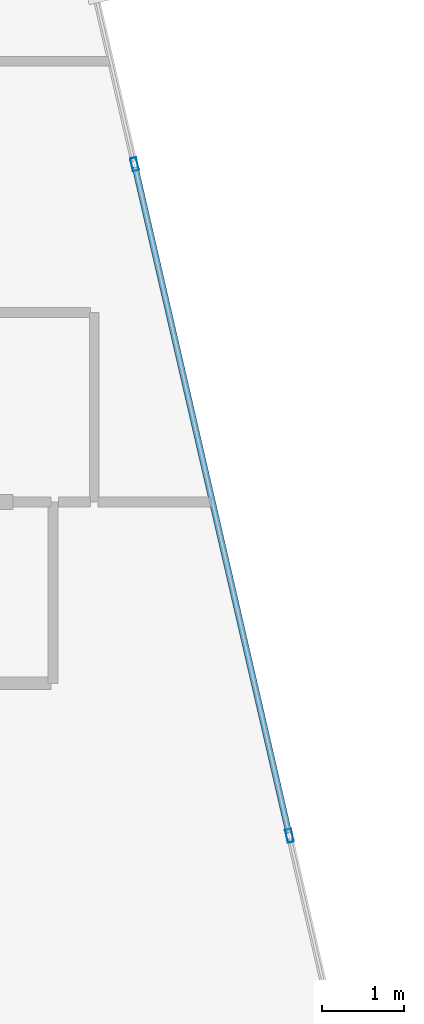
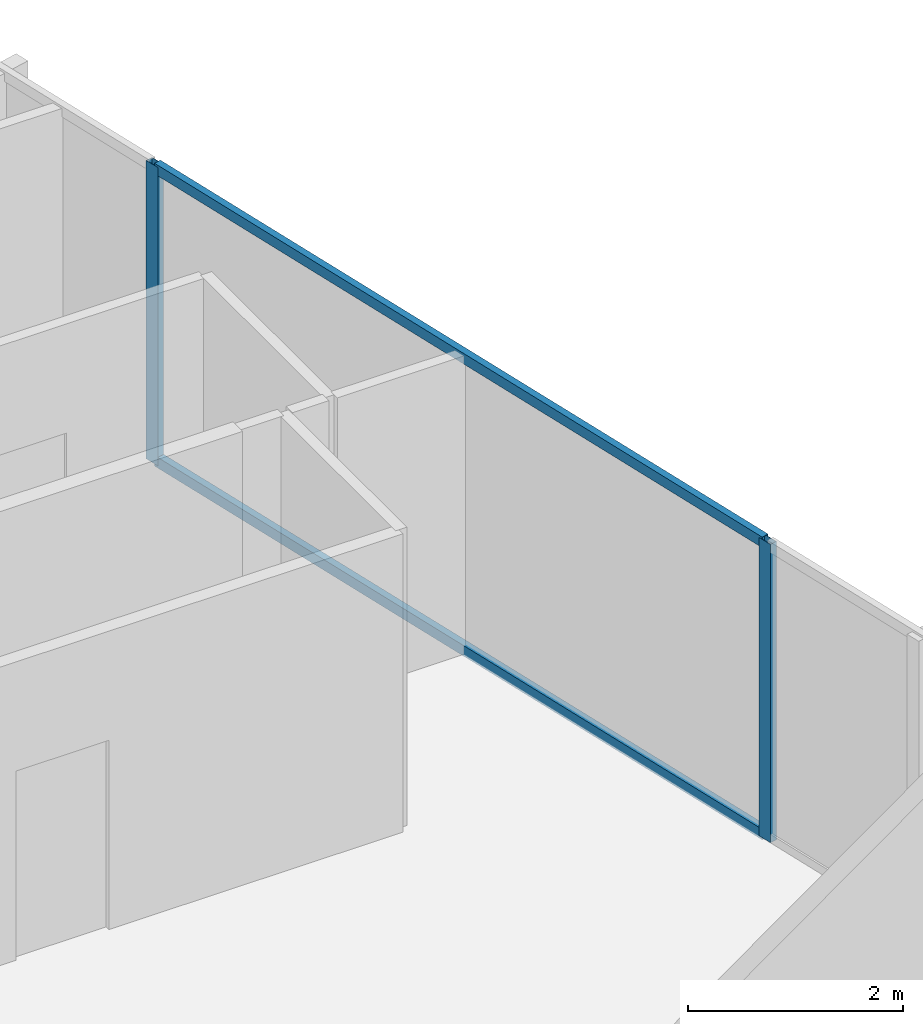
# One storey, part 20 of 29: 4 members, 1 element without a shape of its own.
"""IFC4 building model written with IfcOpenShell, lengths in metres."""

from ifc_helpers import new_model, si_unit, direction, frame, origin, origin_2d, place, context, subcontext, project, spatial, hollow_rectangle, extrude, material, layer, layer_set, material_profile, profile_set, type_object, element, aggregate, save


model = new_model("IFC4")

# Units and contexts
model_context = context("Model", 3, precision=1e-05, world=origin(), true_north=direction((0.0, 1.0)))
body_context = subcontext(model_context, "Body", "Model", "MODEL_VIEW")
ifc_project = project(units=[si_unit("LENGTHUNIT", "METRE"), si_unit("AREAUNIT", "SQUARE_METRE"), si_unit("VOLUMEUNIT", "CUBIC_METRE"), si_unit("PLANEANGLEUNIT", "RADIAN"), si_unit("MASSUNIT", "GRAM", prefix="KILO")], contexts=[model_context])

# Site, building, storey
site_placement = place(None, origin())
site = spatial("IfcSite", under=ifc_project, at=site_placement, CompositionType="ELEMENT")
building_placement = place(site_placement, origin())
building = spatial("IfcBuilding", under=site, at=building_placement, Name="Keshet Zoharim Tower", CompositionType="ELEMENT")
storey_placement = place(building_placement, frame((0.0, 0.0, 188.39990234375)))
storey = spatial("IfcBuildingStorey", under=building, at=storey_placement, Name="L46", CompositionType="ELEMENT", Elevation=188.39990234375)

# Curtain wall, members
ifc_material = material(Name="Aluminium 6063-T6", Category="aluminium")
ifc_layer = layer(ifc_material, 0.139892578125)
ifc_layer_set = layer_set([ifc_layer], Name="Aluminium 6063-T6")
curtain_wall_type = type_object("IfcCurtainWallType", Name="CW-SYS-05", PredefinedType="NOTDEFINED", material=ifc_layer_set)
curtain_wall_placement = place(storey_placement, origin())
curtain_wall = element("IfcCurtainWall", 1, at=curtain_wall_placement, inside=storey, type_object=curtain_wall_type, Name="L46 Unitised Curtain Wall 19", PredefinedType="NOTDEFINED")
ifc_material_profile_1 = material_profile(ifc_material, hollow_rectangle(XDim=0.074951171875, YDim=0.159912109375, WallThickness=0.00390625, at=origin_2d()), Name="MUL-75x160")
ifc_profile_set_1 = profile_set([ifc_material_profile_1], Name="Aluminium 6063-T6")
member_type_1 = type_object("IfcMemberType", Name="CWM-M15", PredefinedType="MULLION", material=ifc_profile_set_1)
member_1_placement = place(storey_placement, frame((41.23876953125, 44.199951171875, 0.0), z_axis=(0.0, 0.0, 1.0), x_axis=(0.974393882313, 0.224847864369, 0.0)))
member_1 = element("IfcMember", 2, at=member_1_placement, type_object=member_type_1, Name="CW-05 mullion 2", PredefinedType="MULLION", context=body_context, shape_type="SweptSolid", body=[
    extrude(hollow_rectangle(XDim=0.074951171875, YDim=0.159912109375, WallThickness=0.00390625, at=origin_2d()), origin(), (0.0, 0.0, 1.0), 3.39013671875),
])
member_2_placement = place(storey_placement, frame((43.119384765625, 36.050048828125, 0.0), z_axis=(0.0, 0.0, 1.0), x_axis=(0.974393882313, 0.224847864369, 0.0)))
member_2 = element("IfcMember", 3, at=member_2_placement, type_object=member_type_1, Name="CW-05 mullion 3", PredefinedType="MULLION", context=body_context, shape_type="SweptSolid", body=[
    extrude(hollow_rectangle(XDim=0.074951171875, YDim=0.159912109375, WallThickness=0.00390625, at=origin_2d()), origin(), (0.0, 0.0, 1.0), 3.39013671875),
])
ifc_material_profile_2 = material_profile(ifc_material, hollow_rectangle(XDim=0.074951171875, YDim=0.1201171875, WallThickness=0.00390625, at=origin_2d()), Name="TRN-75x120")
ifc_profile_set_2 = profile_set([ifc_material_profile_2], Name="Aluminium 6063-T6")
member_type_2 = type_object("IfcMemberType", Name="CWT-T12", PredefinedType="USERDEFINED", material=ifc_profile_set_2)
member_3_placement = place(storey_placement, frame((41.24658203125, 44.166015625, 0.03515625), z_axis=(0.224848758198, -0.974393676055, 0.0), x_axis=(0.974393676055, 0.224848758198, 0.0)))
member_3 = element("IfcMember", 4, at=member_3_placement, type_object=member_type_2, Name="CW-05 transom 2.1", ObjectType="TRANSOM", PredefinedType="USERDEFINED", context=body_context, shape_type="SweptSolid", body=[
    extrude(hollow_rectangle(XDim=0.074951171875, YDim=0.1201171875, WallThickness=0.00390625, at=origin_2d()), origin(), (0.0, 0.0, 1.0), 8.29443359375),
])
member_4_placement = place(storey_placement, frame((41.24658203125, 44.166015625, 3.35498046875), z_axis=(0.224848758198, -0.974393676055, 0.0), x_axis=(0.974393676055, 0.224848758198, 0.0)))
member_4 = element("IfcMember", 5, at=member_4_placement, type_object=member_type_2, Name="CW-05 transom 2.2", ObjectType="TRANSOM", PredefinedType="USERDEFINED", context=body_context, shape_type="SweptSolid", body=[
    extrude(hollow_rectangle(XDim=0.074951171875, YDim=0.1201171875, WallThickness=0.00390625, at=origin_2d()), origin(), (0.0, 0.0, 1.0), 8.29443359375),
])
aggregate(curtain_wall, [member_1, member_2, member_3, member_4])

save(model, "model.ifc")
